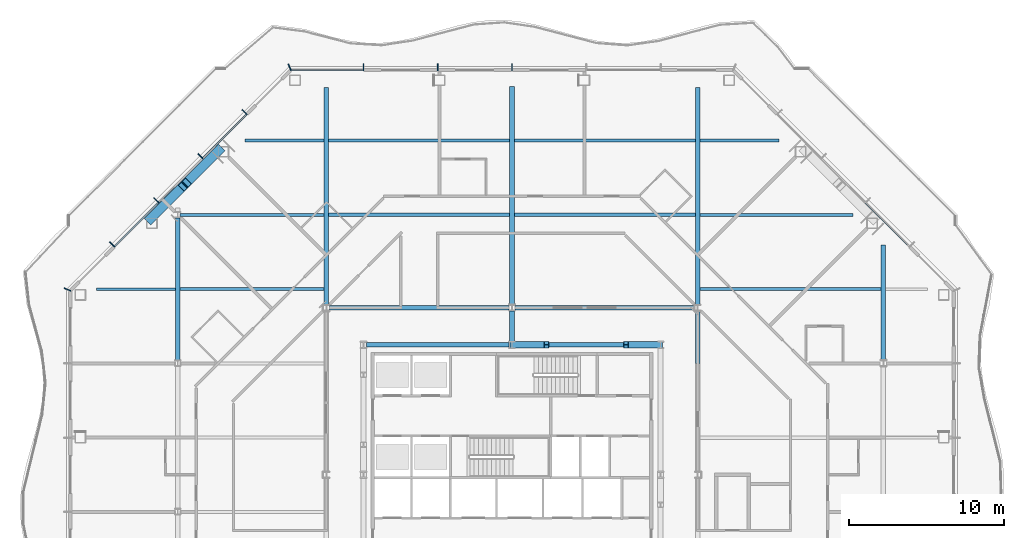
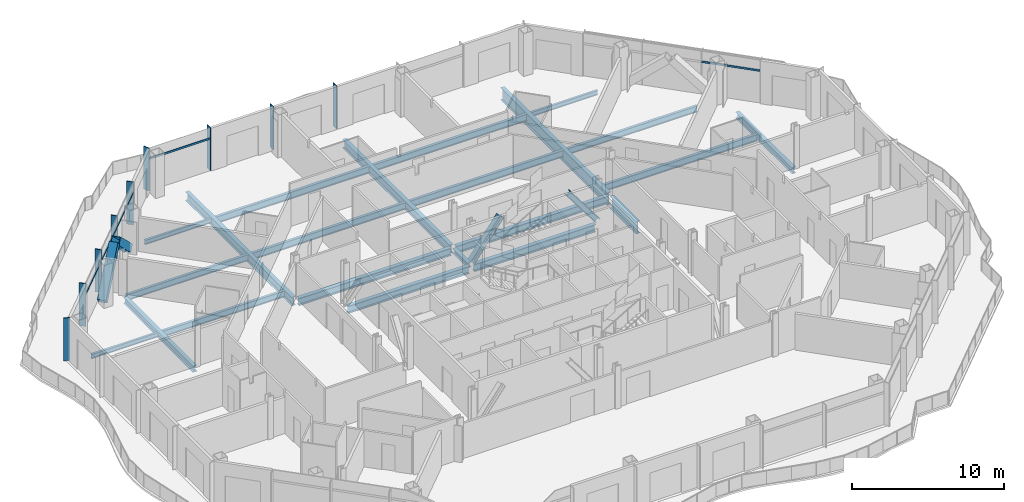
# One storey, part 5 of 24: 22 beams, 18 members, 4 elements without a shape of their own.
"""IFC4 building model written with IfcOpenShell, lengths in metres."""

from ifc_helpers import new_model, si_unit, direction, frame, origin, origin_2d, place, context, subcontext, project, spatial, rectangle, hollow_rectangle, i_section, extrude, material, material_profile, profile_set, type_object, element, aggregate, save


model = new_model("IFC4")

# Units and contexts
model_context = context("Model", 3, precision=1e-05, world=origin(), true_north=direction((0.0, 1.0)))
body_context = subcontext(model_context, "Body", "Model", "MODEL_VIEW")
ifc_project = project(units=[si_unit("LENGTHUNIT", "METRE"), si_unit("AREAUNIT", "SQUARE_METRE"), si_unit("VOLUMEUNIT", "CUBIC_METRE"), si_unit("PLANEANGLEUNIT", "RADIAN"), si_unit("MASSUNIT", "GRAM", prefix="KILO")], contexts=[model_context])

# Site, building, storey
site_placement = place(None, origin())
site = spatial("IfcSite", under=ifc_project, at=site_placement, CompositionType="ELEMENT")
building_placement = place(site_placement, origin())
building = spatial("IfcBuilding", under=site, at=building_placement, Name="Cairn Pilgrim Tower", CompositionType="ELEMENT")
storey_placement = place(building_placement, frame((0.0, 0.0, 125.39990234375)))
storey = spatial("IfcBuildingStorey", under=building, at=storey_placement, Name="L30", CompositionType="ELEMENT", Elevation=125.39990234375)

# Members
ifc_material_1 = material(Name="Structural steel S460M", Category="steel")
ifc_material_profile_1 = material_profile(ifc_material_1, hollow_rectangle(XDim=0.60009765625, YDim=0.60009765625, WallThickness=0.034912109375, at=origin_2d()), Name="BOX 600x600x35")
ifc_profile_set_1 = profile_set([ifc_material_profile_1], Name="Structural steel S460M")
member_type_1 = type_object("IfcMemberType", Name="BOX 600x600x35 BRACE", PredefinedType="BRACE", material=ifc_profile_set_1)
for number, where, z_axis, x_axis, name in (
    (1, (-11.6884765625, 23.41357421875, 0.150146484375), (-0.535551349337, -0.535551349337, 0.652969757681), (0.707106781187, -0.707106781187, 0.0), "XB-NW2-NW3-1"),
    (2, (-16.213623046875, 18.888427734375, 0.150146484375), (0.535594490476, 0.535533998665, 0.652948602913), (-0.707066846316, 0.707146713802, 0.0), "XB-NW2-NW3-2"),
):
    element("IfcMember", number, at=place(storey_placement, frame(where, z_axis=z_axis, x_axis=x_axis)), inside=storey, type_object=member_type_1, Name=name, PredefinedType="BRACE", context=body_context, shape_type="SweptSolid", body=[
        extrude(hollow_rectangle(XDim=0.60009765625, YDim=0.60009765625, WallThickness=0.034912109375, at=origin_2d()), origin(), (0.0, 0.0, 1.0), 4.035888671875),
    ])

# Curtain wall, members
ifc_material_2 = material(Name="Aluminium alloy 6063-T6 bronze anodised with Bronze tinted laminated low-E glass 8+16+8.8", Category="aluminium")
curtain_wall_type = type_object("IfcCurtainWallType", Name="FULL HEIGHT CURTAIN WALL", PredefinedType="NOTDEFINED", material=ifc_material_2)
curtain_wall_1_placement = place(storey_placement, origin())
curtain_wall_1 = element("IfcCurtainWall", 3, at=curtain_wall_1_placement, inside=storey, type_object=curtain_wall_type, Name="Full Height Curtain Wall N", PredefinedType="NOTDEFINED")
ifc_material_3 = material(Name="Aluminium alloy 6063-T6 bronze anodised", Category="aluminium")
ifc_material_profile_2 = material_profile(ifc_material_3, rectangle(XDim=0.449951171875, YDim=0.06005859375, at=origin_2d()), Name="FIN MULLION 60x450 BRONZE")
ifc_profile_set_2 = profile_set([ifc_material_profile_2], Name="Aluminium alloy 6063-T6 bronze anodised")
member_type_2 = type_object("IfcMemberType", Name="FIN MULLION 60x450 BRONZE", PredefinedType="MULLION", material=ifc_profile_set_2)
member_1_placement = place(storey_placement, frame((7.199951171875, 28.7451171875, 0.0), z_axis=(0.0, 0.0, 1.0), x_axis=(0.0, 1.0, 0.0)))
member_1 = element("IfcMember", 4, at=member_1_placement, type_object=member_type_2, Name="Fin mullion N4", PredefinedType="MULLION", context=body_context, shape_type="SweptSolid", body=[
    extrude(rectangle(XDim=0.449951171875, YDim=0.06005859375, at=origin_2d()), origin(), (0.0, 0.0, 1.0), 3.4501953125),
])
member_2_placement = place(storey_placement, frame((2.39990234375, 28.7451171875, 0.0), z_axis=(0.0, 0.0, 1.0), x_axis=(0.0, 1.0, 0.0)))
member_2 = element("IfcMember", 5, at=member_2_placement, type_object=member_type_2, Name="Fin mullion N5", PredefinedType="MULLION", context=body_context, shape_type="SweptSolid", body=[
    extrude(rectangle(XDim=0.449951171875, YDim=0.06005859375, at=origin_2d()), origin(), (0.0, 0.0, 1.0), 3.4501953125),
])
member_3_placement = place(storey_placement, frame((-2.39990234375, 28.7451171875, 0.0), z_axis=(0.0, 0.0, 1.0), x_axis=(0.0, 1.0, 0.0)))
member_3 = element("IfcMember", 6, at=member_3_placement, type_object=member_type_2, Name="Fin mullion N6", PredefinedType="MULLION", context=body_context, shape_type="SweptSolid", body=[
    extrude(rectangle(XDim=0.449951171875, YDim=0.06005859375, at=origin_2d()), origin(), (0.0, 0.0, 1.0), 3.4501953125),
])

curtain_wall_2_placement = place(storey_placement, origin())
curtain_wall_2 = element("IfcCurtainWall", 7, at=curtain_wall_2_placement, inside=storey, type_object=curtain_wall_type, Name="Full Height Curtain Wall NW", PredefinedType="NOTDEFINED")
member_4_placement = place(storey_placement, frame((-7.171142578125, 28.730224609375, 0.0), z_axis=(0.0, 0.0, 1.0), x_axis=(-0.382683432365, 0.923879532511, 0.0)))
member_4 = element("IfcMember", 8, at=member_4_placement, type_object=member_type_2, Name="Fin mullion NW1", PredefinedType="MULLION", context=body_context, shape_type="SweptSolid", body=[
    extrude(rectangle(XDim=0.449951171875, YDim=0.06005859375, at=origin_2d()), origin(), (0.0, 0.0, 1.0), 3.4501953125),
])
member_5_placement = place(storey_placement, frame((-10.0849609375, 25.837158203125, 0.0), z_axis=(0.0, 0.0, 1.0), x_axis=(-0.707106781187, 0.707106781187, 0.0)))
member_5 = element("IfcMember", 9, at=member_5_placement, type_object=member_type_2, Name="Fin mullion NW2", PredefinedType="MULLION", context=body_context, shape_type="SweptSolid", body=[
    extrude(rectangle(XDim=0.449951171875, YDim=0.06005859375, at=origin_2d()), origin(), (0.0, 0.0, 1.0), 3.4501953125),
])
member_6_placement = place(storey_placement, frame((-12.935791015625, 22.986572265625, 0.0), z_axis=(0.0, 0.0, 1.0), x_axis=(-0.707106781187, 0.707106781187, 0.0)))
member_6 = element("IfcMember", 10, at=member_6_placement, type_object=member_type_2, Name="Fin mullion NW3", PredefinedType="MULLION", context=body_context, shape_type="SweptSolid", body=[
    extrude(rectangle(XDim=0.449951171875, YDim=0.06005859375, at=origin_2d()), origin(), (0.0, 0.0, 1.0), 3.4501953125),
])
member_7_placement = place(storey_placement, frame((-15.786376953125, 20.1357421875, 0.0), z_axis=(0.0, 0.0, 1.0), x_axis=(-0.707106781187, 0.707106781187, 0.0)))
member_7 = element("IfcMember", 11, at=member_7_placement, type_object=member_type_2, Name="Fin mullion NW4", PredefinedType="MULLION", context=body_context, shape_type="SweptSolid", body=[
    extrude(rectangle(XDim=0.449951171875, YDim=0.06005859375, at=origin_2d()), origin(), (0.0, 0.0, 1.0), 3.4501953125),
])
member_8_placement = place(storey_placement, frame((-18.63720703125, 17.28515625, 0.0), z_axis=(0.0, 0.0, 1.0), x_axis=(-0.707106781187, 0.707106781187, 0.0)))
member_8 = element("IfcMember", 12, at=member_8_placement, type_object=member_type_2, Name="Fin mullion NW5", PredefinedType="MULLION", context=body_context, shape_type="SweptSolid", body=[
    extrude(rectangle(XDim=0.449951171875, YDim=0.06005859375, at=origin_2d()), origin(), (0.0, 0.0, 1.0), 3.4501953125),
])

# Curtain wall, member
curtain_wall_3_placement = place(storey_placement, origin())
curtain_wall_3 = element("IfcCurtainWall", 13, at=curtain_wall_3_placement, inside=storey, type_object=curtain_wall_type, Name="Full Height Curtain Wall W", PredefinedType="NOTDEFINED")
member_9_placement = place(storey_placement, frame((-21.5302734375, 14.37109375, 0.0), z_axis=(0.0, 0.0, 1.0), x_axis=(-0.923879532511, 0.382683432365, 0.0)))
member_9 = element("IfcMember", 14, at=member_9_placement, type_object=member_type_2, Name="Fin mullion W1", PredefinedType="MULLION", context=body_context, shape_type="SweptSolid", body=[
    extrude(rectangle(XDim=0.449951171875, YDim=0.06005859375, at=origin_2d()), origin(), (0.0, 0.0, 1.0), 3.4501953125),
])
aggregate(curtain_wall_3, [member_9])

# Members
ifc_material_profile_3 = material_profile(ifc_material_1, i_section(OverallWidth=0.408935546875, OverallDepth=0.425048828125, WebThickness=0.03271484375, FlangeThickness=0.052490234375, FilletRadius=0.014892578125, at=origin_2d()), Name="HD 400x421")
ifc_profile_set_3 = profile_set([ifc_material_profile_3], Name="Structural steel S460M")
member_type_3 = type_object("IfcMemberType", Name="HD 400x421 BRACE", PredefinedType="BRACE", material=ifc_profile_set_3)
for number, where, z_axis, x_axis, name in (
    (15, (16.757568359375, 10.800048828125, 0.10009765625), (-0.601311389448, 0.0, 0.799014776409), (0.0, -1.0, 0.0), "KB-3A"),
    (16, (7.242431640625, 10.800048828125, 0.10009765625), (0.601311389448, 0.0, 0.799014776409), (0.0, 1.0, 0.0), "KB-3B"),
):
    element("IfcMember", number, at=place(storey_placement, frame(where, z_axis=z_axis, x_axis=x_axis)), inside=storey, type_object=member_type_3, Name=name, PredefinedType="BRACE", context=body_context, shape_type="SweptSolid", body=[
        extrude(i_section(OverallWidth=0.408935546875, OverallDepth=0.425048828125, WebThickness=0.03271484375, FlangeThickness=0.052490234375, FilletRadius=0.014892578125, at=origin_2d()), origin(), (0.0, 0.0, 1.0), 3.6318359375),
    ])

# Beams
ifc_material_4 = material(Name="Structural steel S355J2", Category="steel")
ifc_material_profile_4 = material_profile(ifc_material_4, i_section(OverallWidth=0.300048828125, OverallDepth=0.39990234375, WebThickness=0.013427734375, FlangeThickness=0.02392578125, FilletRadius=0.027099609375, at=origin_2d()), Name="HEB 400")
ifc_profile_set_4 = profile_set([ifc_material_profile_4], Name="Structural steel S355J2")
beam_type_1 = type_object("IfcBeamType", Name="HEB 400 GIRDER", PredefinedType="BEAM", material=ifc_profile_set_4)
beam_1_placement = place(storey_placement, frame((7.199951171875, 11.011962890625, -0.349853515625), z_axis=(0.0, 1.0, 0.0), x_axis=(-1.0, 0.0, 0.0)))
element("IfcBeam", 17, at=beam_1_placement, inside=storey, type_object=beam_type_1, Name="PG3-E2", PredefinedType="BEAM", context=body_context, shape_type="SweptSolid", body=[
    extrude(i_section(OverallWidth=0.300048828125, OverallDepth=0.39990234375, WebThickness=0.013427734375, FlangeThickness=0.02392578125, FilletRadius=0.027099609375, at=origin_2d()), origin(), (0.0, 0.0, 1.0), 1.983642578125),
])
ifc_material_profile_5 = material_profile(ifc_material_4, i_section(OverallWidth=0.300048828125, OverallDepth=0.5, WebThickness=0.014404296875, FlangeThickness=0.028076171875, FilletRadius=0.027099609375, at=origin_2d()), Name="HEB 500")
ifc_profile_set_5 = profile_set([ifc_material_profile_5], Name="Structural steel S355J2")
beam_type_2 = type_object("IfcBeamType", Name="HEB 500 GIRDER", PredefinedType="BEAM", material=ifc_profile_set_5)
beam_2_placement = place(storey_placement, frame((-14.39990234375, 9.799560546875, -0.39990234375), z_axis=(0.0, 1.0, 0.0), x_axis=(-1.0, 0.0, 0.0)))
element("IfcBeam", 18, at=beam_2_placement, inside=storey, type_object=beam_type_2, Name="PG1-3", PredefinedType="BEAM", context=body_context, shape_type="SweptSolid", body=[
    extrude(i_section(OverallWidth=0.300048828125, OverallDepth=0.5, WebThickness=0.014404296875, FlangeThickness=0.028076171875, FilletRadius=0.027099609375, at=origin_2d()), origin(), (0.0, 0.0, 1.0), 9.200927734375),
])
beam_3_placement = place(storey_placement, frame((31.199951171875, 9.804443359375, -0.39990234375), z_axis=(0.0, 1.0, 0.0), x_axis=(-1.0, 0.0, 0.0)))
element("IfcBeam", 19, at=beam_3_placement, inside=storey, type_object=beam_type_2, Name="PG5-3", PredefinedType="BEAM", context=body_context, shape_type="SweptSolid", body=[
    extrude(i_section(OverallWidth=0.300048828125, OverallDepth=0.5, WebThickness=0.014404296875, FlangeThickness=0.028076171875, FilletRadius=0.027099609375, at=origin_2d()), origin(), (0.0, 0.0, 1.0), 7.445556640625),
])
ifc_material_profile_6 = material_profile(ifc_material_4, i_section(OverallWidth=0.300048828125, OverallDepth=0.60009765625, WebThickness=0.015380859375, FlangeThickness=0.030029296875, FilletRadius=0.027099609375, at=origin_2d()), Name="HEB 600")
ifc_profile_set_6 = profile_set([ifc_material_profile_6], Name="Structural steel S355J2")
beam_type_3 = type_object("IfcBeamType", Name="HEB 600 CORE BEAM", PredefinedType="BEAM", material=ifc_profile_set_6)
beam_4_placement = place(storey_placement, frame((16.609130859375, 10.800048828125, -0.449951171875), z_axis=(-1.0, 0.0, 0.0), x_axis=(0.0, -1.0, 0.0)))
element("IfcBeam", 20, at=beam_4_placement, inside=storey, type_object=beam_type_3, Name="CB-5", PredefinedType="BEAM", context=body_context, shape_type="SweptSolid", body=[
    extrude(i_section(OverallWidth=0.300048828125, OverallDepth=0.60009765625, WebThickness=0.015380859375, FlangeThickness=0.030029296875, FilletRadius=0.027099609375, at=origin_2d()), origin(), (0.0, 0.0, 1.0), 9.21826171875),
])
beam_5_placement = place(storey_placement, frame((7.00927734375, 10.800048828125, -0.449951171875), z_axis=(-1.0, 0.0, 0.0), x_axis=(0.0, -1.0, 0.0)))
element("IfcBeam", 21, at=beam_5_placement, inside=storey, type_object=beam_type_3, Name="CB-6", PredefinedType="BEAM", context=body_context, shape_type="SweptSolid", body=[
    extrude(i_section(OverallWidth=0.300048828125, OverallDepth=0.60009765625, WebThickness=0.015380859375, FlangeThickness=0.030029296875, FilletRadius=0.027099609375, at=origin_2d()), origin(), (0.0, 0.0, 1.0), 9.218505859375),
])
ifc_material_profile_7 = material_profile(ifc_material_4, i_section(OverallWidth=0.300048828125, OverallDepth=0.60009765625, WebThickness=0.015380859375, FlangeThickness=0.030029296875, FilletRadius=0.027099609375, at=origin_2d()), Name="HEB 600")
ifc_profile_set_7 = profile_set([ifc_material_profile_7], Name="Structural steel S355J2")
beam_type_4 = type_object("IfcBeamType", Name="HEB 600 INNER GIRDER", PredefinedType="BEAM", material=ifc_profile_set_7)
for number, where, z_axis, x_axis, name in (
    (22, (-4.595458984375, 13.199951171875, -0.449951171875), (1.0, 0.0, 0.0), (0.0, 1.0, 0.0), "IG2-1"),
    (23, (7.404541015625, 13.199951171875, -0.449951171875), (1.0, 0.0, 0.0), (0.0, 1.0, 0.0), "IG2-2"),
):
    element("IfcBeam", number, at=place(storey_placement, frame(where, z_axis=z_axis, x_axis=x_axis)), inside=storey, type_object=beam_type_4, Name=name, PredefinedType="BEAM", context=body_context, shape_type="SweptSolid", body=[
        extrude(i_section(OverallWidth=0.300048828125, OverallDepth=0.60009765625, WebThickness=0.015380859375, FlangeThickness=0.030029296875, FilletRadius=0.027099609375, at=origin_2d()), origin(), (0.0, 0.0, 1.0), 11.591064453125),
    ])
ifc_material_profile_8 = material_profile(ifc_material_4, i_section(OverallWidth=0.300048828125, OverallDepth=0.699951171875, WebThickness=0.01708984375, FlangeThickness=0.031982421875, FilletRadius=0.027099609375, at=origin_2d()), Name="HEB 700")
ifc_profile_set_8 = profile_set([ifc_material_profile_8], Name="Structural steel S355J2")
beam_type_5 = type_object("IfcBeamType", Name="HEB 700 GIRDER", PredefinedType="BEAM", material=ifc_profile_set_8)
beam_6_placement = place(storey_placement, frame((-4.800048828125, 13.404541015625, -0.5), z_axis=(0.0, 1.0, 0.0), x_axis=(-1.0, 0.0, 0.0)))
element("IfcBeam", 24, at=beam_6_placement, inside=storey, type_object=beam_type_5, Name="PG2-4", PredefinedType="BEAM", context=body_context, shape_type="SweptSolid", body=[
    extrude(i_section(OverallWidth=0.300048828125, OverallDepth=0.699951171875, WebThickness=0.01708984375, FlangeThickness=0.031982421875, FilletRadius=0.027099609375, at=origin_2d()), origin(), (0.0, 0.0, 1.0), 14.025390625),
])
beam_7_placement = place(storey_placement, frame((7.199951171875, 13.404541015625, -0.5), z_axis=(0.0, 1.0, 0.0), x_axis=(-1.0, 0.0, 0.0)))
element("IfcBeam", 25, at=beam_7_placement, inside=storey, type_object=beam_type_5, Name="PG3-2", PredefinedType="BEAM", context=body_context, shape_type="SweptSolid", body=[
    extrude(i_section(OverallWidth=0.300048828125, OverallDepth=0.699951171875, WebThickness=0.01708984375, FlangeThickness=0.031982421875, FilletRadius=0.027099609375, at=origin_2d()), origin(), (0.0, 0.0, 1.0), 14.095458984375),
])
ifc_material_profile_9 = material_profile(ifc_material_4, i_section(OverallWidth=0.302001953125, OverallDepth=1.008056640625, WebThickness=0.02099609375, FlangeThickness=0.0400390625, FilletRadius=0.030029296875, at=origin_2d()), Name="HEM 1000")
ifc_profile_set_9 = profile_set([ifc_material_profile_9], Name="Structural steel S355J2")
beam_type_6 = type_object("IfcBeamType", Name="HEM 1000 GIRDER", PredefinedType="BEAM", material=ifc_profile_set_9)
beam_8_placement = place(storey_placement, frame((19.199951171875, 9.60009765625, -0.65380859375), z_axis=(0.0, 1.0, 0.0), x_axis=(-1.0, 0.0, 0.0)))
element("IfcBeam", 26, at=beam_8_placement, inside=storey, type_object=beam_type_6, Name="PG4-4", PredefinedType="BEAM", context=body_context, shape_type="SweptSolid", body=[
    extrude(i_section(OverallWidth=0.302001953125, OverallDepth=1.008056640625, WebThickness=0.02099609375, FlangeThickness=0.0400390625, FilletRadius=0.030029296875, at=origin_2d()), origin(), (0.0, 0.0, 1.0), 3.3955078125),
])
beam_9_placement = place(storey_placement, frame((19.199951171875, 13.404541015625, -0.65380859375), z_axis=(0.0, 1.0, 0.0), x_axis=(-1.0, 0.0, 0.0)))
element("IfcBeam", 27, at=beam_9_placement, inside=storey, type_object=beam_type_6, Name="PG4-5", PredefinedType="BEAM", context=body_context, shape_type="SweptSolid", body=[
    extrude(i_section(OverallWidth=0.302001953125, OverallDepth=1.008056640625, WebThickness=0.02099609375, FlangeThickness=0.0400390625, FilletRadius=0.030029296875, at=origin_2d()), origin(), (0.0, 0.0, 1.0), 14.025390625),
])
ifc_material_profile_10 = material_profile(ifc_material_4, i_section(OverallWidth=0.169921875, OverallDepth=0.360107421875, WebThickness=0.008056640625, FlangeThickness=0.0126953125, FilletRadius=0.01806640625, at=origin_2d()), Name="IPE 360")
ifc_profile_set_10 = profile_set([ifc_material_profile_10], Name="Structural steel S355J2")
beam_type_7 = type_object("IfcBeamType", Name="IPE 360 SECONDARY BEAM", PredefinedType="JOIST", material=ifc_profile_set_10)
for number, where, z_axis, x_axis, name in (
    (28, (-19.650146484375, 14.39990234375, -0.329833984375), (1.0, 0.0, 0.0), (0.0, 1.0, 0.0), "SB7-1"),
    (29, (-10.050048828125, 24.0, -0.329833984375), (1.0, 0.0, 0.0), (0.0, 1.0, 0.0), "SB9-1"),
    (30, (19.35009765625, 24.0, -0.329833984375), (1.0, 0.0, 0.0), (0.0, 1.0, 0.0), "SB9-4"),
):
    element("IfcBeam", number, at=place(storey_placement, frame(where, z_axis=z_axis, x_axis=x_axis)), inside=storey, type_object=beam_type_7, Name=name, PredefinedType="JOIST", context=body_context, shape_type="SweptSolid", body=[
        extrude(i_section(OverallWidth=0.169921875, OverallDepth=0.360107421875, WebThickness=0.008056640625, FlangeThickness=0.0126953125, FilletRadius=0.01806640625, at=origin_2d()), origin(), (0.0, 0.0, 1.0), 5.10009765625),
    ])
ifc_material_profile_11 = material_profile(ifc_material_4, i_section(OverallWidth=0.199951171875, OverallDepth=0.5, WebThickness=0.01025390625, FlangeThickness=0.01611328125, FilletRadius=0.02099609375, at=origin_2d()), Name="IPE 500")
ifc_profile_set_11 = profile_set([ifc_material_profile_11], Name="Structural steel S355J2")
beam_type_8 = type_object("IfcBeamType", Name="IPE 500 SECONDARY BEAM", PredefinedType="JOIST", material=ifc_profile_set_11)
for number, where, z_axis, x_axis, name in (
    (31, (-14.25, 14.39990234375, -0.39990234375), (1.0, 0.0, 0.0), (0.0, 1.0, 0.0), "SB7-2"),
    (32, (-14.25, 19.199951171875, -0.39990234375), (1.0, 0.0, 0.0), (0.0, 1.0, 0.0), "SB8-1"),
):
    element("IfcBeam", number, at=place(storey_placement, frame(where, z_axis=z_axis, x_axis=x_axis)), inside=storey, type_object=beam_type_8, Name=name, PredefinedType="JOIST", context=body_context, shape_type="SweptSolid", body=[
        extrude(i_section(OverallWidth=0.199951171875, OverallDepth=0.5, WebThickness=0.01025390625, FlangeThickness=0.01611328125, FilletRadius=0.02099609375, at=origin_2d()), origin(), (0.0, 0.0, 1.0), 9.300048828125),
    ])
beam_10_placement = place(storey_placement, frame((19.35009765625, 19.199951171875, -0.39990234375), z_axis=(1.0, 0.0, 0.0), x_axis=(0.0, 1.0, 0.0)))
element("IfcBeam", 33, at=beam_10_placement, inside=storey, type_object=beam_type_8, Name="SB8-4", PredefinedType="JOIST", context=body_context, shape_type="SweptSolid", body=[
    extrude(i_section(OverallWidth=0.199951171875, OverallDepth=0.5, WebThickness=0.01025390625, FlangeThickness=0.01611328125, FilletRadius=0.02099609375, at=origin_2d()), origin(), (0.0, 0.0, 1.0), 9.89990234375),
])
ifc_material_profile_12 = material_profile(ifc_material_4, i_section(OverallWidth=0.2099609375, OverallDepth=0.550048828125, WebThickness=0.010986328125, FlangeThickness=0.01708984375, FilletRadius=0.02392578125, at=origin_2d()), Name="IPE 550")
ifc_profile_set_12 = profile_set([ifc_material_profile_12], Name="Structural steel S355J2")
beam_type_9 = type_object("IfcBeamType", Name="IPE 550 SECONDARY BEAM", PredefinedType="JOIST", material=ifc_profile_set_12)
for number, where, z_axis, x_axis, name in (
    (34, (19.35009765625, 14.39990234375, -0.4248046875), (1.0, 0.0, 0.0), (0.0, 1.0, 0.0), "SB7-3"),
    (35, (-4.64990234375, 19.199951171875, -0.4248046875), (1.0, 0.0, 0.0), (0.0, 1.0, 0.0), "SB8-2"),
    (36, (7.35009765625, 19.199951171875, -0.4248046875), (1.0, 0.0, 0.0), (0.0, 1.0, 0.0), "SB8-3"),
    (37, (-4.64990234375, 24.0, -0.4248046875), (1.0, 0.0, 0.0), (0.0, 1.0, 0.0), "SB9-2"),
    (38, (7.35009765625, 24.0, -0.4248046875), (1.0, 0.0, 0.0), (0.0, 1.0, 0.0), "SB9-3"),
):
    element("IfcBeam", number, at=place(storey_placement, frame(where, z_axis=z_axis, x_axis=x_axis)), inside=storey, type_object=beam_type_9, Name=name, PredefinedType="JOIST", context=body_context, shape_type="SweptSolid", body=[
        extrude(i_section(OverallWidth=0.2099609375, OverallDepth=0.550048828125, WebThickness=0.010986328125, FlangeThickness=0.01708984375, FilletRadius=0.02392578125, at=origin_2d()), origin(), (0.0, 0.0, 1.0), 11.699951171875),
    ])

# Curtain wall, member
curtain_wall_4_placement = place(storey_placement, origin())
curtain_wall_4 = element("IfcCurtainWall", 39, at=curtain_wall_4_placement, inside=storey, type_object=curtain_wall_type, Name="Full Height Curtain Wall NE", PredefinedType="NOTDEFINED")
ifc_material_profile_13 = material_profile(ifc_material_3, rectangle(XDim=0.080078125, YDim=0.14990234375, at=origin_2d()), Name="TRANSOM 80x150 BRONZE")
ifc_profile_set_13 = profile_set([ifc_material_profile_13], Name="Aluminium alloy 6063-T6 bronze anodised")
member_type_4 = type_object("IfcMemberType", Name="TRANSOM 80x150 BRONZE", PredefinedType="USERDEFINED", material=ifc_profile_set_13)
member_10_placement = place(storey_placement, frame((32.878173828125, 17.16845703125, 2.60009765625), z_axis=(-0.70713751761, 0.707076043427, 0.0), x_axis=(-0.707076043427, -0.70713751761, 0.0)))
member_10 = element("IfcMember", 40, at=member_10_placement, type_object=member_type_4, Name="Transom NE2", ObjectType="TRANSOM", PredefinedType="USERDEFINED", context=body_context, shape_type="SweptSolid", body=[
    extrude(rectangle(XDim=0.080078125, YDim=0.14990234375, at=origin_2d()), origin(), (0.0, 0.0, 1.0), 3.971435546875),
])
aggregate(curtain_wall_4, [member_10])

# Member
member_11_placement = place(storey_placement, frame((-2.429931640625, 28.550048828125, 2.60009765625), z_axis=(-1.0, 0.0, 0.0), x_axis=(0.0, -1.0, 0.0)))
member_11 = element("IfcMember", 41, at=member_11_placement, type_object=member_type_4, Name="Transom N6", ObjectType="TRANSOM", PredefinedType="USERDEFINED", context=body_context, shape_type="SweptSolid", body=[
    extrude(rectangle(XDim=0.080078125, YDim=0.14990234375, at=origin_2d()), origin(), (0.0, 0.0, 1.0), 4.62646484375),
])

aggregate(curtain_wall_1, [member_1, member_2, member_3, member_11])

member_12_placement = place(storey_placement, frame((-9.96826171875, 25.677978515625, 2.60009765625), z_axis=(-0.70713751761, -0.707076043427, 0.0), x_axis=(0.707076043427, -0.70713751761, 0.0)))
member_12 = element("IfcMember", 42, at=member_12_placement, type_object=member_type_4, Name="Transom NW2", ObjectType="TRANSOM", PredefinedType="USERDEFINED", context=body_context, shape_type="SweptSolid", body=[
    extrude(rectangle(XDim=0.080078125, YDim=0.14990234375, at=origin_2d()), origin(), (0.0, 0.0, 1.0), 3.971435546875),
])

member_13_placement = place(storey_placement, frame((-12.819091796875, 22.827392578125, 2.60009765625), z_axis=(-0.707106781187, -0.707106781187, 0.0), x_axis=(0.707106781187, -0.707106781187, 0.0)))
member_13 = element("IfcMember", 43, at=member_13_placement, type_object=member_type_4, Name="Transom NW3", ObjectType="TRANSOM", PredefinedType="USERDEFINED", context=body_context, shape_type="SweptSolid", body=[
    extrude(rectangle(XDim=0.080078125, YDim=0.14990234375, at=origin_2d()), origin(), (0.0, 0.0, 1.0), 3.9716796875),
])

member_14_placement = place(storey_placement, frame((-15.669677734375, 19.9765625, 2.60009765625), z_axis=(-0.70713751761, -0.707076043427, 0.0), x_axis=(0.707076043427, -0.70713751761, 0.0)))
member_14 = element("IfcMember", 44, at=member_14_placement, type_object=member_type_4, Name="Transom NW4", ObjectType="TRANSOM", PredefinedType="USERDEFINED", context=body_context, shape_type="SweptSolid", body=[
    extrude(rectangle(XDim=0.080078125, YDim=0.14990234375, at=origin_2d()), origin(), (0.0, 0.0, 1.0), 3.971435546875),
])

aggregate(curtain_wall_2, [member_4, member_5, member_6, member_7, member_8, member_12, member_13, member_14])

save(model, "model.ifc")
